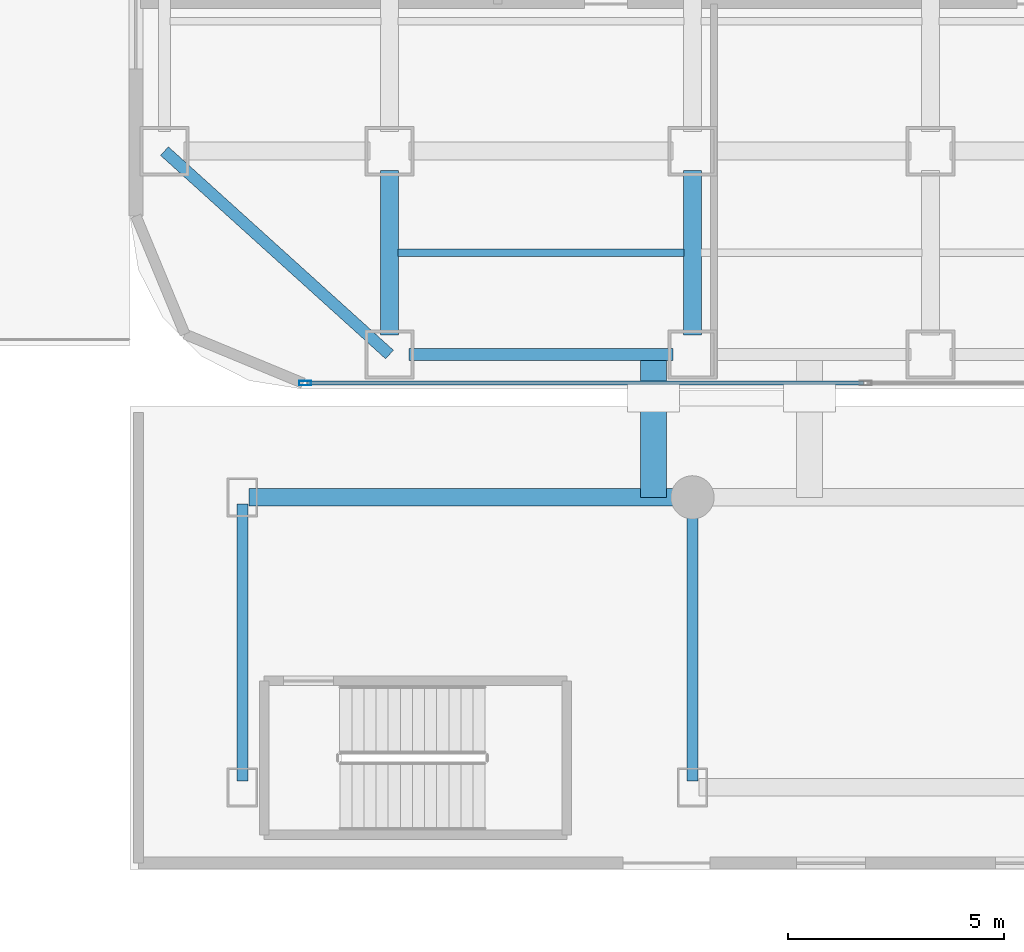
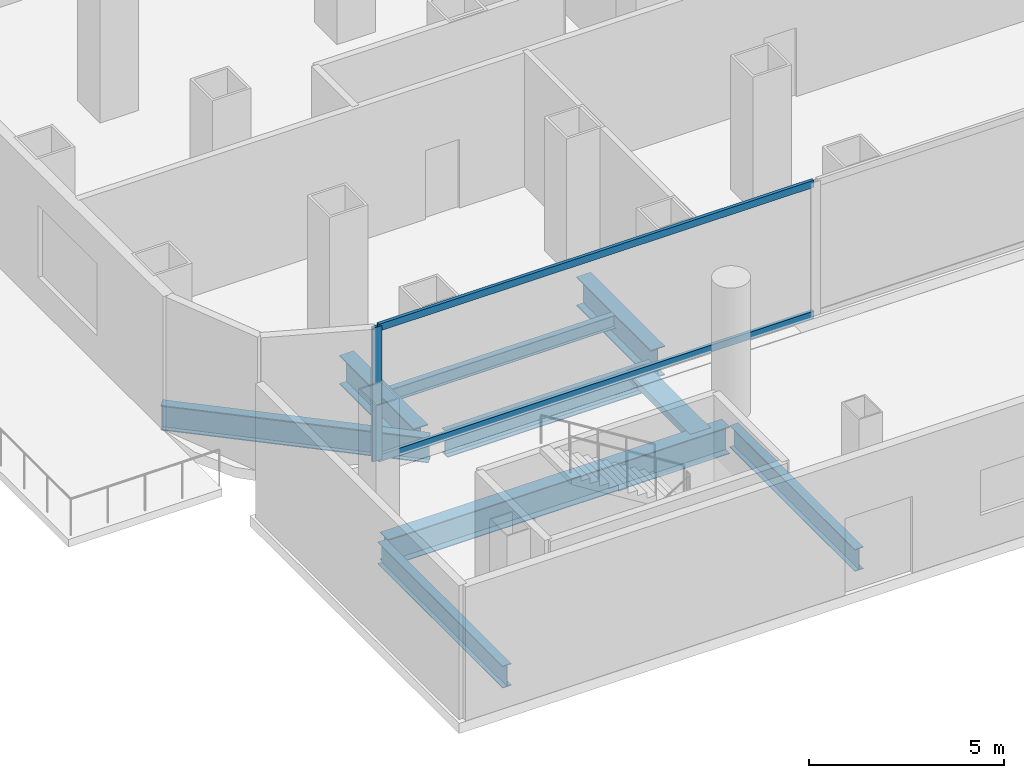
# One storey, part 5 of 31: 8 beams, 4 members, 1 element without a shape of its own.
"""IFC4 building model written with IfcOpenShell, lengths in metres."""

from ifc_helpers import new_model, si_unit, direction, frame, origin, origin_2d, place, context, subcontext, project, spatial, hollow_rectangle, i_section, extrude, source, transform, mapped, material, layer, layer_set, material_profile, profile_set, type_object, element, aggregate, save


model = new_model("IFC4")

# Units and contexts
model_context = context("Model", 3, precision=1e-05, world=origin(), true_north=direction((0.0, 1.0)))
body_context = subcontext(model_context, "Body", "Model", "MODEL_VIEW")
ifc_project = project(units=[si_unit("LENGTHUNIT", "METRE"), si_unit("AREAUNIT", "SQUARE_METRE"), si_unit("VOLUMEUNIT", "CUBIC_METRE"), si_unit("PLANEANGLEUNIT", "RADIAN"), si_unit("MASSUNIT", "GRAM", prefix="KILO")], contexts=[model_context])

# Site, building, storey
site_placement = place(None, origin())
site = spatial("IfcSite", under=ifc_project, at=site_placement, CompositionType="ELEMENT")
building_placement = place(site_placement, origin())
building = spatial("IfcBuilding", under=site, at=building_placement, Name="Kolveth Station Tower", CompositionType="ELEMENT")
storey_placement = place(building_placement, origin())
storey = spatial("IfcBuildingStorey", under=building, at=storey_placement, Name="L00", CompositionType="ELEMENT", Elevation=0.0)

# Beams
ifc_material_1 = material(Name="Steel S355", Category="steel")
ifc_material_profile_1 = material_profile(ifc_material_1, i_section(OverallWidth=0.26904296875, OverallDepth=0.77490234375, WebThickness=0.01708984375, FlangeThickness=0.0283203125, at=origin_2d()), Name="W760x220")
ifc_profile_set_1 = profile_set([ifc_material_profile_1], Name="Steel S355")
beam_type_1 = type_object("IfcBeamType", Name="Beam_SP1", PredefinedType="SPANDREL", material=ifc_profile_set_1)
shared_shape_1 = source(origin(), body_context, "Body", "SweptSolid", [
    extrude(i_section(OverallWidth=0.26904296875, OverallDepth=0.77490234375, WebThickness=0.01708984375, FlangeThickness=0.0283203125, at=origin_2d()), origin(), (0.0, 0.0, 1.0), 6.10009765625),
])
beam_1_placement = place(storey_placement, frame((6.449951171875, 0.800048828125, -0.70751953125), z_axis=(1.0, 0.0, 0.0), x_axis=(0.0, 1.0, 0.0)))
element("IfcBeam", 1, at=beam_1_placement, inside=storey, type_object=beam_type_1, Name="L00 Perimeter Spandrel BM-L00-PS-1", PredefinedType="SPANDREL", context=body_context, shape_type="MappedRepresentation", body=[
    mapped(shared_shape_1, transform((0.0, 0.0, 0.0), x_axis=(1.0, 0.0, 0.0), y_axis=(0.0, 1.0, 0.0), z_axis=(0.0, 0.0, 1.0), scale=1.0)),
])
shared_shape_2 = source(origin(), body_context, "Body", "SweptSolid", [
    extrude(i_section(OverallWidth=0.26904296875, OverallDepth=0.77490234375, WebThickness=0.01708984375, FlangeThickness=0.0283203125, at=origin_2d()), origin(), (0.0, 0.0, 1.0), 7.00927734375),
])
beam_2_placement = place(storey_placement, frame((0.800048828125, 5.5, -0.70751953125), z_axis=(0.741874009795, -0.670539300557, 0.0), x_axis=(0.670539300557, 0.741874009795, 0.0)))
element("IfcBeam", 2, at=beam_2_placement, inside=storey, type_object=beam_type_1, Name="L00 Corner Edge Girder BM-L00-CNR-SW", PredefinedType="SPANDREL", context=body_context, shape_type="MappedRepresentation", body=[
    mapped(shared_shape_2, transform((0.0, 0.0, 0.0), x_axis=(1.0, 0.0, 0.0), y_axis=(0.0, 1.0, 0.0), z_axis=(0.0, 0.0, 1.0), scale=1.0)),
])
ifc_material_profile_2 = material_profile(ifc_material_1, i_section(OverallWidth=0.41796875, OverallDepth=0.912109375, WebThickness=0.019287109375, FlangeThickness=0.031982421875, at=origin_2d()), Name="W920x342")
ifc_profile_set_2 = profile_set([ifc_material_profile_2], Name="Steel S355")
beam_type_2 = type_object("IfcBeamType", Name="Beam_B1", PredefinedType="BEAM", material=ifc_profile_set_2)
shared_shape_3 = source(origin(), body_context, "Body", "SweptSolid", [
    extrude(i_section(OverallWidth=0.41796875, OverallDepth=0.912109375, WebThickness=0.019287109375, FlangeThickness=0.031982421875, at=origin_2d()), origin(), (0.0, 0.0, 1.0), 3.800048828125),
])
for number, where, z_axis, x_axis, name in (
    (3, (6.0, 1.25, -0.77587890625), (0.0, 1.0, 0.0), (-1.0, 0.0, 0.0), "L00 Primary Girder BM-L00-GX60-1"),
    (4, (13.0, 1.25, -0.77587890625), (0.0, 1.0, 0.0), (-1.0, 0.0, 0.0), "L00 Primary Girder BM-L00-GX130-1"),
):
    element("IfcBeam", number, at=place(storey_placement, frame(where, z_axis=z_axis, x_axis=x_axis)), inside=storey, type_object=beam_type_2, Name=name, PredefinedType="BEAM", context=body_context, shape_type="MappedRepresentation", body=[
        mapped(shared_shape_3, transform((0.0, 0.0, 0.0), x_axis=(1.0, 0.0, 0.0), y_axis=(0.0, 1.0, 0.0), z_axis=(0.0, 0.0, 1.0), scale=1.0)),
    ])
ifc_material_profile_3 = material_profile(ifc_material_1, i_section(OverallWidth=0.177978515625, OverallDepth=0.406982421875, WebThickness=0.0078125, FlangeThickness=0.0126953125, at=origin_2d()), Name="W410x60")
ifc_profile_set_3 = profile_set([ifc_material_profile_3], Name="Steel S355")
beam_type_3 = type_object("IfcBeamType", Name="Beam_J1", PredefinedType="JOIST", material=ifc_profile_set_3)
shared_shape_4 = source(origin(), body_context, "Body", "SweptSolid", [
    extrude(i_section(OverallWidth=0.177978515625, OverallDepth=0.406982421875, WebThickness=0.0078125, FlangeThickness=0.0126953125, at=origin_2d()), origin(), (0.0, 0.0, 1.0), 6.60986328125),
])
beam_3_placement = place(storey_placement, frame((6.195068359375, 3.14990234375, -0.5234375), z_axis=(1.0, 0.0, 0.0), x_axis=(0.0, 1.0, 0.0)))
element("IfcBeam", 5, at=beam_3_placement, inside=storey, type_object=beam_type_3, Name="L00 Secondary Joist JST-L00-2-1", PredefinedType="JOIST", context=body_context, shape_type="MappedRepresentation", body=[
    mapped(shared_shape_4, transform((0.0, 0.0, 0.0), x_axis=(1.0, 0.0, 0.0), y_axis=(0.0, 1.0, 0.0), z_axis=(0.0, 0.0, 1.0), scale=1.0)),
])
ifc_material_profile_4 = material_profile(ifc_material_1, i_section(OverallWidth=0.40087890625, OverallDepth=0.85107421875, WebThickness=0.01611328125, FlangeThickness=0.025390625, at=origin_2d()), Name="W840x226")
ifc_profile_set_4 = profile_set([ifc_material_profile_4], Name="Steel S355")
beam_type_4 = type_object("IfcBeamType", Name="Beam_B2", PredefinedType="BEAM", material=ifc_profile_set_4)
shared_shape_5 = source(origin(), body_context, "Body", "SweptSolid", [
    extrude(i_section(OverallWidth=0.40087890625, OverallDepth=0.85107421875, WebThickness=0.01611328125, FlangeThickness=0.025390625, at=origin_2d()), origin(), (0.0, 0.0, 1.0), 10.10009765625),
])
beam_4_placement = place(storey_placement, frame((2.75, -2.5, -0.74560546875), z_axis=(1.0, 0.0, 0.0), x_axis=(0.0, 1.0, 0.0)))
element("IfcBeam", 6, at=beam_4_placement, inside=storey, type_object=beam_type_4, Name="L00 Station Concourse Girder SBM-L00-SL2-1", PredefinedType="BEAM", context=body_context, shape_type="MappedRepresentation", body=[
    mapped(shared_shape_5, transform((0.0, 0.0, 0.0), x_axis=(1.0, 0.0, 0.0), y_axis=(0.0, 1.0, 0.0), z_axis=(0.0, 0.0, 1.0), scale=1.0)),
])
ifc_material_profile_5 = material_profile(ifc_material_1, i_section(OverallWidth=0.25390625, OverallDepth=0.68798828125, WebThickness=0.01318359375, FlangeThickness=0.02099609375, at=origin_2d()), Name="W690x152")
ifc_profile_set_5 = profile_set([ifc_material_profile_5], Name="Steel S355")
beam_type_5 = type_object("IfcBeamType", Name="Beam_B4", PredefinedType="BEAM", material=ifc_profile_set_5)
shared_shape_6 = source(origin(), body_context, "Body", "SweptSolid", [
    extrude(i_section(OverallWidth=0.25390625, OverallDepth=0.68798828125, WebThickness=0.01318359375, FlangeThickness=0.02099609375, at=origin_2d()), origin(), (0.0, 0.0, 1.0), 6.400146484375),
])
for number, where, z_axis, x_axis, name in (
    (7, (2.60009765625, -9.050048828125, -0.6640625), (0.0, 1.0, 0.0), (-1.0, 0.0, 0.0), "L00 Station Transverse Beam SBM-L00-ST-1"),
    (8, (13.0, -9.050048828125, -0.6640625), (0.0, 1.0, 0.0), (-1.0, 0.0, 0.0), "L00 Station Transverse Beam SBM-L00-ST-2"),
):
    element("IfcBeam", number, at=place(storey_placement, frame(where, z_axis=z_axis, x_axis=x_axis)), inside=storey, type_object=beam_type_5, Name=name, PredefinedType="BEAM", context=body_context, shape_type="MappedRepresentation", body=[
        mapped(shared_shape_6, transform((0.0, 0.0, 0.0), x_axis=(1.0, 0.0, 0.0), y_axis=(0.0, 1.0, 0.0), z_axis=(0.0, 0.0, 1.0), scale=1.0)),
    ])

# Member
ifc_material_2 = material(Name="Steel S355 and PTFE elastomer", Category="steel")
ifc_material_profile_6 = material_profile(ifc_material_2, hollow_rectangle(XDim=0.60009765625, YDim=0.219970703125, WallThickness=0.0400390625, at=origin_2d()), Name="PTFE-BEARING-750x600")
ifc_profile_set_6 = profile_set([ifc_material_profile_6], Name="Steel S355 and PTFE elastomer")
member_type_1 = type_object("IfcMemberType", Name="Mem_BRG1", PredefinedType="USERDEFINED", material=ifc_profile_set_6)
shared_shape_7 = source(origin(), body_context, "Body", "SweptSolid", [
    extrude(hollow_rectangle(XDim=0.60009765625, YDim=0.219970703125, WallThickness=0.0400390625, at=origin_2d()), origin(), (0.0, 0.0, 1.0), 3.300048828125),
])
member_1_placement = place(storey_placement, frame((12.10009765625, -2.5, -0.429931640625), z_axis=(0.0, 1.0, 0.0), x_axis=(-1.0, 0.0, 0.0)))
element("IfcMember", 9, at=member_1_placement, inside=storey, type_object=member_type_1, Name="L00 Unguided PTFE Sliding Bearing 1.1", ObjectType="BEARING", PredefinedType="USERDEFINED", context=body_context, shape_type="MappedRepresentation", body=[
    mapped(shared_shape_7, transform((0.0, 0.0, 0.0), x_axis=(1.0, 0.0, 0.0), y_axis=(0.0, 1.0, 0.0), z_axis=(0.0, 0.0, 1.0), scale=1.0)),
])

# Curtain wall, members
ifc_material_3 = material(Name="Black anodized aluminium 6063-T6 and clear station glass", Category="aluminium")
ifc_layer = layer(ifc_material_3, 0.239990234375)
ifc_layer_set = layer_set([ifc_layer], Name="Black anodized aluminium 6063-T6 and clear station glass")
curtain_wall_type = type_object("IfcCurtainWallType", Name="CurtainWall_CW-ST", PredefinedType="NOTDEFINED", material=ifc_layer_set)
curtain_wall_placement = place(storey_placement, origin())
curtain_wall = element("IfcCurtainWall", 10, at=curtain_wall_placement, inside=storey, type_object=curtain_wall_type, Name="L00 Tower Podium South Storefront Curtain Wall", PredefinedType="NOTDEFINED")
ifc_material_4 = material(Name="Black anodized aluminium 6063-T6", Category="aluminium")
ifc_material_profile_7 = material_profile(ifc_material_4, hollow_rectangle(XDim=0.10009765625, YDim=0.280029296875, WallThickness=0.0048828125, at=origin_2d()), Name="ALU-100x280x5")
ifc_profile_set_7 = profile_set([ifc_material_profile_7], Name="Black anodized aluminium 6063-T6")
member_type_2 = type_object("IfcMemberType", Name="Mullion_ML-ST", PredefinedType="MULLION", material=ifc_profile_set_7)
shared_shape_8 = source(origin(), body_context, "Body", "SweptSolid", [
    extrude(hollow_rectangle(XDim=0.10009765625, YDim=0.280029296875, WallThickness=0.0048828125, at=origin_2d()), origin(), (0.0, 0.0, 1.0), 4.179931640625),
])
member_2_placement = place(storey_placement, frame((4.050048828125, 0.139892578125, 0.0), z_axis=(0.0, 0.0, 1.0), x_axis=(0.0, 1.0, 0.0)))
member_2 = element("IfcMember", 11, at=member_2_placement, type_object=member_type_2, Name="CW-ST mullion 1", PredefinedType="MULLION", context=body_context, shape_type="MappedRepresentation", body=[
    mapped(shared_shape_8, transform((0.0, 0.0, 0.0), x_axis=(1.0, 0.0, 0.0), y_axis=(0.0, 1.0, 0.0), z_axis=(0.0, 0.0, 1.0), scale=1.0)),
])
ifc_material_profile_8 = material_profile(ifc_material_4, hollow_rectangle(XDim=0.094970703125, YDim=0.219970703125, WallThickness=0.0048828125, at=origin_2d()), Name="ALU-95x220x5")
ifc_profile_set_8 = profile_set([ifc_material_profile_8], Name="Black anodized aluminium 6063-T6")
member_type_3 = type_object("IfcMemberType", Name="Transom_TR-ST", PredefinedType="USERDEFINED", material=ifc_profile_set_8)
shared_shape_9 = source(origin(), body_context, "Body", "SweptSolid", [
    extrude(hollow_rectangle(XDim=0.094970703125, YDim=0.219970703125, WallThickness=0.0048828125, at=origin_2d()), origin(), (0.0, 0.0, 1.0), 12.849853515625),
])
member_3_placement = place(storey_placement, frame((4.10009765625, 0.139892578125, 0.047607421875), z_axis=(1.0, 0.0, 0.0), x_axis=(0.0, 1.0, 0.0)))
member_3 = element("IfcMember", 12, at=member_3_placement, type_object=member_type_3, Name="CW-ST transom 1.1", ObjectType="TRANSOM", PredefinedType="USERDEFINED", context=body_context, shape_type="MappedRepresentation", body=[
    mapped(shared_shape_9, transform((0.0, 0.0, 0.0), x_axis=(1.0, 0.0, 0.0), y_axis=(0.0, 1.0, 0.0), z_axis=(0.0, 0.0, 1.0), scale=1.0)),
])
member_4_placement = place(storey_placement, frame((4.10009765625, 0.139892578125, 4.132568359375), z_axis=(1.0, 0.0, 0.0), x_axis=(0.0, 1.0, 0.0)))
member_4 = element("IfcMember", 13, at=member_4_placement, type_object=member_type_3, Name="CW-ST transom 1.2", ObjectType="TRANSOM", PredefinedType="USERDEFINED", context=body_context, shape_type="MappedRepresentation", body=[
    mapped(shared_shape_9, transform((0.0, 0.0, 0.0), x_axis=(1.0, 0.0, 0.0), y_axis=(0.0, 1.0, 0.0), z_axis=(0.0, 0.0, 1.0), scale=1.0)),
])
aggregate(curtain_wall, [member_2, member_3, member_4])

save(model, "model.ifc")
